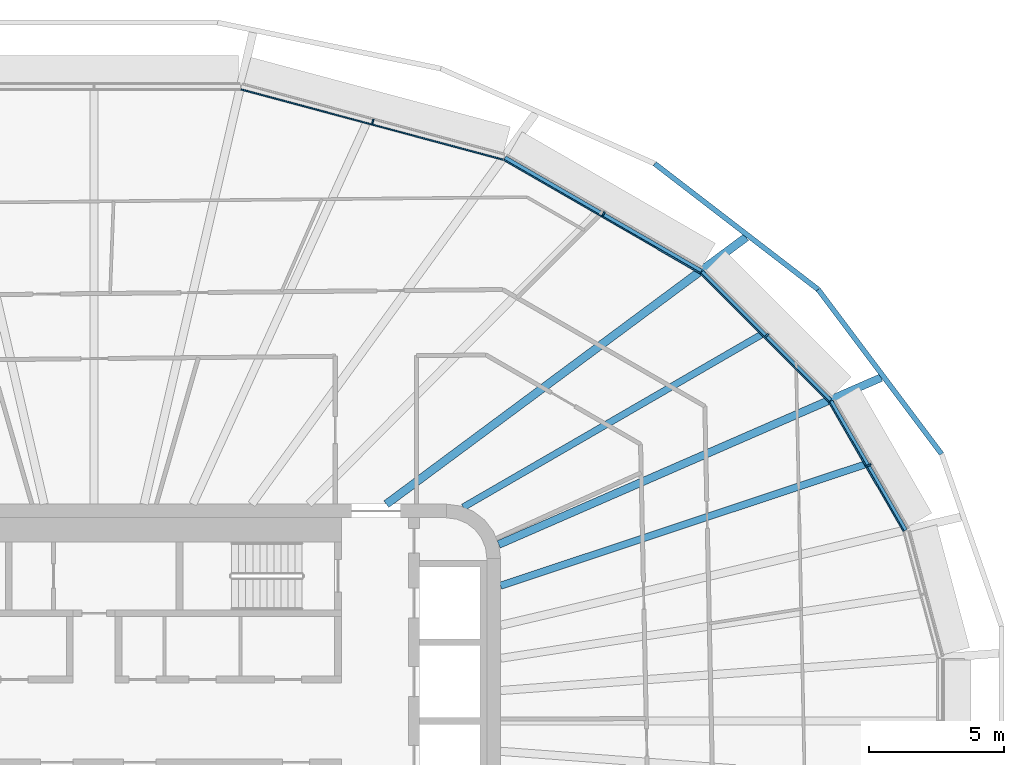
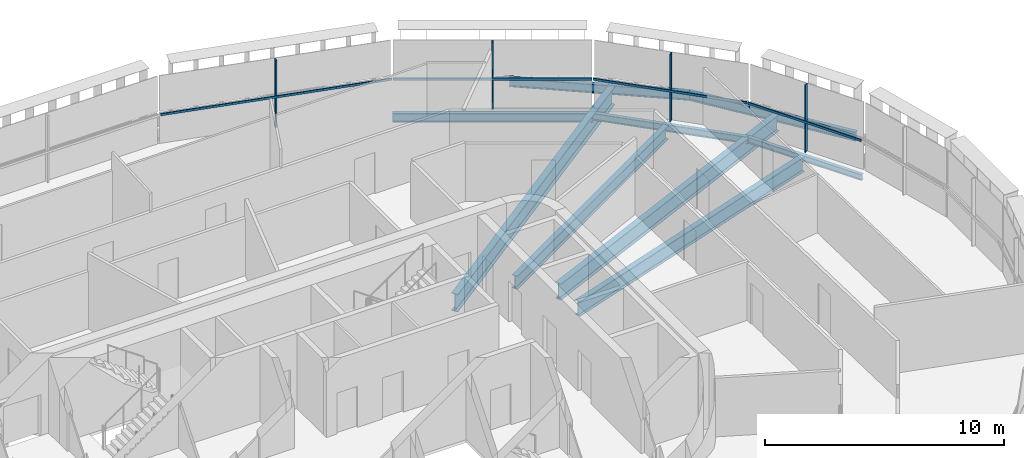
# One storey, part 7 of 23: 9 beams, 8 members, 4 elements without a shape of their own.
"""IFC4 building model written with IfcOpenShell, lengths in metres."""

from ifc_helpers import new_model, si_unit, direction, frame, origin, origin_2d, place, context, subcontext, project, spatial, rectangle, i_section, extrude, material, layer, layer_set, material_profile, profile_set, type_object, element, aggregate, save


model = new_model("IFC4")

# Units and contexts
model_context = context("Model", 3, precision=1e-05, world=origin(), true_north=direction((0.0, 1.0)))
body_context = subcontext(model_context, "Body", "Model", "MODEL_VIEW")
ifc_project = project(units=[si_unit("LENGTHUNIT", "METRE"), si_unit("AREAUNIT", "SQUARE_METRE"), si_unit("VOLUMEUNIT", "CUBIC_METRE"), si_unit("PLANEANGLEUNIT", "RADIAN"), si_unit("MASSUNIT", "GRAM", prefix="KILO")], contexts=[model_context])

# Site, building, storey
site_placement = place(None, origin())
site = spatial("IfcSite", under=ifc_project, at=site_placement, CompositionType="ELEMENT")
building_placement = place(site_placement, origin())
building = spatial("IfcBuilding", under=site, at=building_placement, Name="Sahrelin Media Tower", CompositionType="ELEMENT")
storey_placement = place(building_placement, frame((0.0, 0.0, 157.60009765625)))
storey = spatial("IfcBuildingStorey", under=building, at=storey_placement, Name="L32", CompositionType="ELEMENT", Elevation=157.60009765625)

# Beams
ifc_material_1 = material(Name="Steel S355", Category="steel")
ifc_material_profile_1 = material_profile(ifc_material_1, i_section(OverallWidth=0.1650390625, OverallDepth=0.303466796875, WebThickness=0.006103515625, FlangeThickness=0.01025390625, FilletRadius=0.0087890625, at=origin_2d()), Name="UB 305x165x40")
ifc_profile_set_1 = profile_set([ifc_material_profile_1], Name="Steel S355")
beam_type_1 = type_object("IfcBeamType", Name="Edge beam EB2", PredefinedType="BEAM", material=ifc_profile_set_1)
beam_1_placement = place(storey_placement, frame((27.1826171875, 11.80078125, -0.3017578125), z_axis=(0.499996181239, -0.866027608536, 0.0), x_axis=(0.866027608536, 0.499996181239, 0.0)))
element("IfcBeam", 1, at=beam_1_placement, inside=storey, type_object=beam_type_1, Name="Edge beam L32-23", PredefinedType="BEAM", context=body_context, shape_type="SweptSolid", body=[
    extrude(i_section(OverallWidth=0.1650390625, OverallDepth=0.303466796875, WebThickness=0.006103515625, FlangeThickness=0.01025390625, FilletRadius=0.0087890625, at=origin_2d()), origin(), (0.0, 0.0, 1.0), 5.50732421875),
])
ifc_material_profile_2 = material_profile(ifc_material_1, i_section(OverallWidth=0.17138671875, OverallDepth=0.35498046875, WebThickness=0.00732421875, FlangeThickness=0.011474609375, FilletRadius=0.01025390625, at=origin_2d()), Name="UB 356x171x51")
ifc_profile_set_2 = profile_set([ifc_material_profile_2], Name="Steel S355")
beam_type_2 = type_object("IfcBeamType", Name="Edge beam EB3", PredefinedType="BEAM", material=ifc_profile_set_2)
beam_2_placement = place(storey_placement, frame((22.424072265625, 16.564697265625, -0.32763671875), z_axis=(0.707088574851, -0.707124987054, 0.0), x_axis=(0.707124987054, 0.707088574851, 0.0)))
element("IfcBeam", 2, at=beam_2_placement, inside=storey, type_object=beam_type_2, Name="Edge beam L32-22", PredefinedType="BEAM", context=body_context, shape_type="SweptSolid", body=[
    extrude(i_section(OverallWidth=0.17138671875, OverallDepth=0.35498046875, WebThickness=0.00732421875, FlangeThickness=0.011474609375, FilletRadius=0.01025390625, at=origin_2d()), origin(), (0.0, 0.0, 1.0), 6.704833984375),
])
ifc_material_profile_3 = material_profile(ifc_material_1, i_section(OverallWidth=0.1904296875, OverallDepth=0.45703125, WebThickness=0.009033203125, FlangeThickness=0.014404296875, FilletRadius=0.01025390625, at=origin_2d()), Name="UB 457x191x74")
ifc_profile_set_3 = profile_set([ifc_material_profile_3], Name="Steel S355")
beam_type_3 = type_object("IfcBeamType", Name="Edge beam EB5", PredefinedType="BEAM", material=ifc_profile_set_3)
beam_3_placement = place(storey_placement, frame((15.15087890625, 20.76806640625, -0.378662109375), z_axis=(0.866019985848, -0.500009384024, 0.0), x_axis=(0.500009384024, 0.866019985848, 0.0)))
element("IfcBeam", 3, at=beam_3_placement, inside=storey, type_object=beam_type_3, Name="Edge beam L32-21", PredefinedType="BEAM", context=body_context, shape_type="SweptSolid", body=[
    extrude(i_section(OverallWidth=0.1904296875, OverallDepth=0.45703125, WebThickness=0.009033203125, FlangeThickness=0.014404296875, FilletRadius=0.01025390625, at=origin_2d()), origin(), (0.0, 0.0, 1.0), 8.371826171875),
])

# Curtain wall, member
ifc_material_2 = material(Name="Champagne anodised aluminium 6063-T6", Category="aluminium")
ifc_layer = layer(ifc_material_2, 0.14990234375)
ifc_layer_set = layer_set([ifc_layer], Name="Tower ribbon curtain wall")
curtain_wall_type = type_object("IfcCurtainWallType", Name="Tower ribbon curtain wall", PredefinedType="NOTDEFINED", material=ifc_layer_set)
curtain_wall_1_placement = place(storey_placement, frame((28.689208984375, 9.490966796875, 0.0), z_axis=(0.0, 0.0, 1.0), x_axis=(1.0, 0.0, 0.0)))
curtain_wall_1 = element("IfcCurtainWall", 4, at=curtain_wall_1_placement, inside=storey, type_object=curtain_wall_type, Name="L32:CW:L32-02", PredefinedType="NOTDEFINED")
ifc_material_profile_4 = material_profile(ifc_material_2, rectangle(XDim=0.06005859375, YDim=0.175048828125, at=origin_2d()), Name="Mullion 60x175")
ifc_profile_set_4 = profile_set([ifc_material_profile_4], Name="Champagne anodised aluminium 6063-T6")
member_type_1 = type_object("IfcMemberType", Name="Mullion 60x175 CW1B", PredefinedType="MULLION", material=ifc_profile_set_4)
member_1_placement = place(storey_placement, frame((28.59619140625, 9.437255859375, 0.0), z_axis=(0.0, 0.0, 1.0), x_axis=(-0.4999984885, 0.866026276448, 0.0)))
member_1 = element("IfcMember", 5, at=member_1_placement, type_object=member_type_1, Name="L32:CWM:L32-02", PredefinedType="MULLION", context=body_context, shape_type="SweptSolid", body=[
    extrude(rectangle(XDim=0.06005859375, YDim=0.175048828125, at=origin_2d()), origin(), (0.0, 0.0, 1.0), 3.448486328125),
])

curtain_wall_2_placement = place(storey_placement, frame((24.900634765625, 14.30029296875, 0.0), z_axis=(0.0, 0.0, 1.0), x_axis=(1.0, 0.0, 0.0)))
curtain_wall_2 = element("IfcCurtainWall", 6, at=curtain_wall_2_placement, inside=storey, type_object=curtain_wall_type, Name="L32:CW:L32-03", PredefinedType="NOTDEFINED")
member_2_placement = place(storey_placement, frame((24.824462890625, 14.22412109375, 0.0), z_axis=(0.0, 0.0, 1.0), x_axis=(-0.707106781187, 0.707106781187, 0.0)))
member_2 = element("IfcMember", 7, at=member_2_placement, type_object=member_type_1, Name="L32:CWM:L32-03", PredefinedType="MULLION", context=body_context, shape_type="SweptSolid", body=[
    extrude(rectangle(XDim=0.06005859375, YDim=0.175048828125, at=origin_2d()), origin(), (0.0, 0.0, 1.0), 3.448486328125),
])

curtain_wall_3_placement = place(storey_placement, frame((18.85107421875, 18.804931640625, 0.0), z_axis=(0.0, 0.0, 1.0), x_axis=(1.0, 0.0, 0.0)))
curtain_wall_3 = element("IfcCurtainWall", 8, at=curtain_wall_3_placement, inside=storey, type_object=curtain_wall_type, Name="L32:CW:L32-04", PredefinedType="NOTDEFINED")
member_3_placement = place(storey_placement, frame((18.797119140625, 18.7119140625, 0.0), z_axis=(0.0, 0.0, 1.0), x_axis=(-0.866025403784, 0.5, 0.0)))
member_3 = element("IfcMember", 9, at=member_3_placement, type_object=member_type_1, Name="L32:CWM:L32-04", PredefinedType="MULLION", context=body_context, shape_type="SweptSolid", body=[
    extrude(rectangle(XDim=0.06005859375, YDim=0.175048828125, at=origin_2d()), origin(), (0.0, 0.0, 1.0), 3.448486328125),
])

curtain_wall_4_placement = place(storey_placement, frame((10.312255859375, 22.2236328125, 0.0), z_axis=(0.0, 0.0, 1.0), x_axis=(1.0, 0.0, 0.0)))
curtain_wall_4 = element("IfcCurtainWall", 10, at=curtain_wall_4_placement, inside=storey, type_object=curtain_wall_type, Name="L32:CW:L32-05", PredefinedType="NOTDEFINED")
member_4_placement = place(storey_placement, frame((10.284423828125, 22.119873046875, 0.0), z_axis=(0.0, 0.0, 1.0), x_axis=(-0.965926729732, 0.258815673384, 0.0)))
member_4 = element("IfcMember", 11, at=member_4_placement, type_object=member_type_1, Name="L32:CWM:L32-05", PredefinedType="MULLION", context=body_context, shape_type="SweptSolid", body=[
    extrude(rectangle(XDim=0.06005859375, YDim=0.175048828125, at=origin_2d()), origin(), (0.0, 0.0, 1.0), 3.448486328125),
])

# Beams
ifc_material_profile_5 = material_profile(ifc_material_1, i_section(OverallWidth=0.291748046875, OverallDepth=0.8349609375, WebThickness=0.013916015625, FlangeThickness=0.018798828125, FilletRadius=0.017822265625, at=origin_2d()), Name="UB 838x292x176")
ifc_profile_set_5 = profile_set([ifc_material_profile_5], Name="Steel S355")
beam_type_4 = type_object("IfcBeamType", Name="Radial primary beam PB10", PredefinedType="BEAM", material=ifc_profile_set_5)
beam_4_placement = place(storey_placement, frame((14.9326171875, 6.51318359375, -0.567626953125), z_axis=(0.916602253647, 0.399800335929, 0.0), x_axis=(-0.399800335929, 0.916602253647, 0.0)))
element("IfcBeam", 12, at=beam_4_placement, inside=storey, type_object=beam_type_4, Name="Radial beam L32-03", PredefinedType="BEAM", context=body_context, shape_type="SweptSolid", body=[
    extrude(i_section(OverallWidth=0.291748046875, OverallDepth=0.8349609375, WebThickness=0.013916015625, FlangeThickness=0.018798828125, FilletRadius=0.017822265625, at=origin_2d()), origin(), (0.0, 0.0, 1.0), 15.395263671875),
])
ifc_material_profile_6 = material_profile(ifc_material_1, i_section(OverallWidth=0.30322265625, OverallDepth=0.903076171875, WebThickness=0.01513671875, FlangeThickness=0.020263671875, FilletRadius=0.01904296875, at=origin_2d()), Name="UB 914x305x201")
ifc_profile_set_6 = profile_set([ifc_material_profile_6], Name="Steel S355")
beam_type_5 = type_object("IfcBeamType", Name="Radial primary beam PB11", PredefinedType="BEAM", material=ifc_profile_set_6)
beam_5_placement = place(storey_placement, frame((10.784423828125, 8.0, -0.6015625), z_axis=(0.80315204966, 0.595774105788, 0.0), x_axis=(-0.595774105788, 0.80315204966, 0.0)))
element("IfcBeam", 13, at=beam_5_placement, inside=storey, type_object=beam_type_5, Name="Radial beam L32-04", PredefinedType="BEAM", context=body_context, shape_type="SweptSolid", body=[
    extrude(i_section(OverallWidth=0.30322265625, OverallDepth=0.903076171875, WebThickness=0.01513671875, FlangeThickness=0.020263671875, FilletRadius=0.01904296875, at=origin_2d()), origin(), (0.0, 0.0, 1.0), 16.532470703125),
])
ifc_material_profile_7 = material_profile(ifc_material_1, i_section(OverallWidth=0.2529296875, OverallDepth=0.677978515625, WebThickness=0.01171875, FlangeThickness=0.01611328125, FilletRadius=0.01513671875, at=origin_2d()), Name="UB 686x254x125")
ifc_profile_set_7 = profile_set([ifc_material_profile_7], Name="Steel S355")
beam_type_6 = type_object("IfcBeamType", Name="Radial secondary beam SB8", PredefinedType="BEAM", material=ifc_profile_set_7)
beam_6_placement = place(storey_placement, frame((13.624755859375, 7.887451171875, -0.489013671875), z_axis=(0.865442516247, 0.501008234535, 0.0), x_axis=(-0.501008234535, 0.865442516247, 0.0)))
element("IfcBeam", 14, at=beam_6_placement, inside=storey, type_object=beam_type_6, Name="Secondary beam L32-03", PredefinedType="BEAM", context=body_context, shape_type="SweptSolid", body=[
    extrude(i_section(OverallWidth=0.2529296875, OverallDepth=0.677978515625, WebThickness=0.01171875, FlangeThickness=0.01611328125, FilletRadius=0.01513671875, at=origin_2d()), origin(), (0.0, 0.0, 1.0), 12.700927734375),
])
ifc_material_profile_8 = material_profile(ifc_material_1, i_section(OverallWidth=0.26513671875, OverallDepth=0.75390625, WebThickness=0.0126953125, FlangeThickness=0.017578125, FilletRadius=0.0166015625, at=origin_2d()), Name="UB 762x267x147")
ifc_profile_set_8 = profile_set([ifc_material_profile_8], Name="Steel S355")
beam_type_7 = type_object("IfcBeamType", Name="Radial secondary beam SB9", PredefinedType="BEAM", material=ifc_profile_set_8)
beam_7_placement = place(storey_placement, frame((15.0, 4.990234375, -0.527099609375), z_axis=(0.948867590332, 0.315674351219, 0.0), x_axis=(-0.315674351219, 0.948867590332, 0.0)))
element("IfcBeam", 15, at=beam_7_placement, inside=storey, type_object=beam_type_7, Name="Secondary beam L32-02", PredefinedType="BEAM", context=body_context, shape_type="SweptSolid", body=[
    extrude(i_section(OverallWidth=0.26513671875, OverallDepth=0.75390625, WebThickness=0.0126953125, FlangeThickness=0.017578125, FilletRadius=0.0166015625, at=origin_2d()), origin(), (0.0, 0.0, 1.0), 14.162353515625),
])
ifc_material_profile_9 = material_profile(ifc_material_1, i_section(OverallWidth=0.1904296875, OverallDepth=0.45703125, WebThickness=0.009033203125, FlangeThickness=0.014404296875, FilletRadius=0.01025390625, at=origin_2d()), Name="UB 457x191x74")
ifc_profile_set_9 = profile_set([ifc_material_profile_9], Name="Steel S355")
beam_type_8 = type_object("IfcBeamType", Name="Tie chord TC5", PredefinedType="BEAM", material=ifc_profile_set_9)
beam_8_placement = place(storey_placement, frame((31.277099609375, 9.849853515625, -0.378662109375), z_axis=(-0.600072024218, 0.79994597677, 0.0), x_axis=(-0.79994597677, -0.600072024218, 0.0)))
element("IfcBeam", 16, at=beam_8_placement, inside=storey, type_object=beam_type_8, Name="Tie chord L32-02", PredefinedType="BEAM", context=body_context, shape_type="SweptSolid", body=[
    extrude(i_section(OverallWidth=0.1904296875, OverallDepth=0.45703125, WebThickness=0.009033203125, FlangeThickness=0.014404296875, FilletRadius=0.01025390625, at=origin_2d()), origin(), (0.0, 0.0, 1.0), 7.5927734375),
])
beam_9_placement = place(storey_placement, frame((26.720947265625, 15.923583984375, -0.378662109375), z_axis=(-0.792433203357, 0.609958702058, 0.0), x_axis=(-0.609958702058, -0.792433203357, 0.0)))
element("IfcBeam", 17, at=beam_9_placement, inside=storey, type_object=beam_type_8, Name="Tie chord L32-03", PredefinedType="BEAM", context=body_context, shape_type="SweptSolid", body=[
    extrude(i_section(OverallWidth=0.1904296875, OverallDepth=0.45703125, WebThickness=0.009033203125, FlangeThickness=0.014404296875, FilletRadius=0.01025390625, at=origin_2d()), origin(), (0.0, 0.0, 1.0), 7.61279296875),
])

# Member
ifc_material_profile_10 = material_profile(ifc_material_2, rectangle(XDim=0.050048828125, YDim=0.110107421875, at=origin_2d()), Name="Transom 50x110")
ifc_profile_set_10 = profile_set([ifc_material_profile_10], Name="Champagne anodised aluminium 6063-T6")
member_type_2 = type_object("IfcMemberType", Name="Transom 50x110 CW1B", PredefinedType="USERDEFINED", material=ifc_profile_set_10)
member_5_placement = place(storey_placement, frame((29.86767578125, 7.010009765625, 1.599853515625), z_axis=(-0.49998489776, 0.866034122891, 0.0), x_axis=(-0.866034122891, -0.49998489776, 0.0)))
member_5 = element("IfcMember", 18, at=member_5_placement, type_object=member_type_2, Name="L32:CWT:L32-02", ObjectType="TRANSOM", PredefinedType="USERDEFINED", context=body_context, shape_type="SweptSolid", body=[
    extrude(rectangle(XDim=0.050048828125, YDim=0.110107421875, at=origin_2d()), origin(), (0.0, 0.0, 1.0), 5.475830078125),
])

aggregate(curtain_wall_1, [member_1, member_5])

member_6_placement = place(storey_placement, frame((27.1044921875, 11.78515625, 1.599853515625), z_axis=(-0.707125072767, 0.707088489133, 0.0), x_axis=(-0.707088489133, -0.707125072767, 0.0)))
member_6 = element("IfcMember", 19, at=member_6_placement, type_object=member_type_2, Name="L32:CWT:L32-03", ObjectType="TRANSOM", PredefinedType="USERDEFINED", context=body_context, shape_type="SweptSolid", body=[
    extrude(rectangle(XDim=0.050048828125, YDim=0.110107421875, at=origin_2d()), origin(), (0.0, 0.0, 1.0), 6.673583984375),
])

aggregate(curtain_wall_2, [member_2, member_6])

member_7_placement = place(storey_placement, frame((22.3525390625, 16.529296875, 1.599853515625), z_axis=(-0.866018876994, 0.500011304563, 0.0), x_axis=(-0.500011304563, -0.866018876994, 0.0)))
member_7 = element("IfcMember", 20, at=member_7_placement, type_object=member_type_2, Name="L32:CWT:L32-04", ObjectType="TRANSOM", PredefinedType="USERDEFINED", context=body_context, shape_type="SweptSolid", body=[
    extrude(rectangle(XDim=0.050048828125, YDim=0.110107421875, at=origin_2d()), origin(), (0.0, 0.0, 1.0), 8.340576171875),
])

aggregate(curtain_wall_3, [member_3, member_7])

member_8_placement = place(storey_placement, frame((15.091064453125, 20.715576171875, 1.599853515625), z_axis=(-0.965929113775, 0.258806775726, 0.0), x_axis=(-0.258806775726, -0.965929113775, 0.0)))
member_8 = element("IfcMember", 21, at=member_8_placement, type_object=member_type_2, Name="L32:CWT:L32-05", ObjectType="TRANSOM", PredefinedType="USERDEFINED", context=body_context, shape_type="SweptSolid", body=[
    extrude(rectangle(XDim=0.050048828125, YDim=0.110107421875, at=origin_2d()), origin(), (0.0, 0.0, 1.0), 10.012451171875),
])

aggregate(curtain_wall_4, [member_4, member_8])

save(model, "model.ifc")
